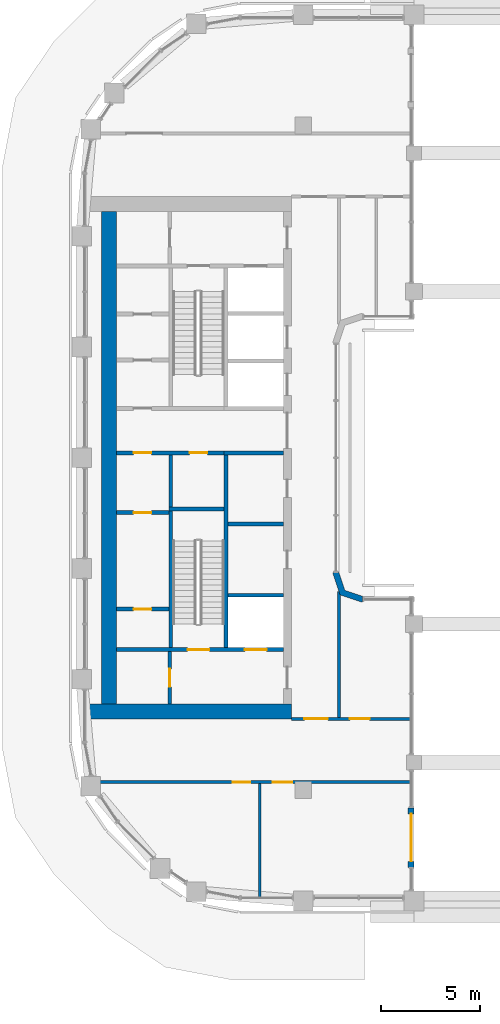
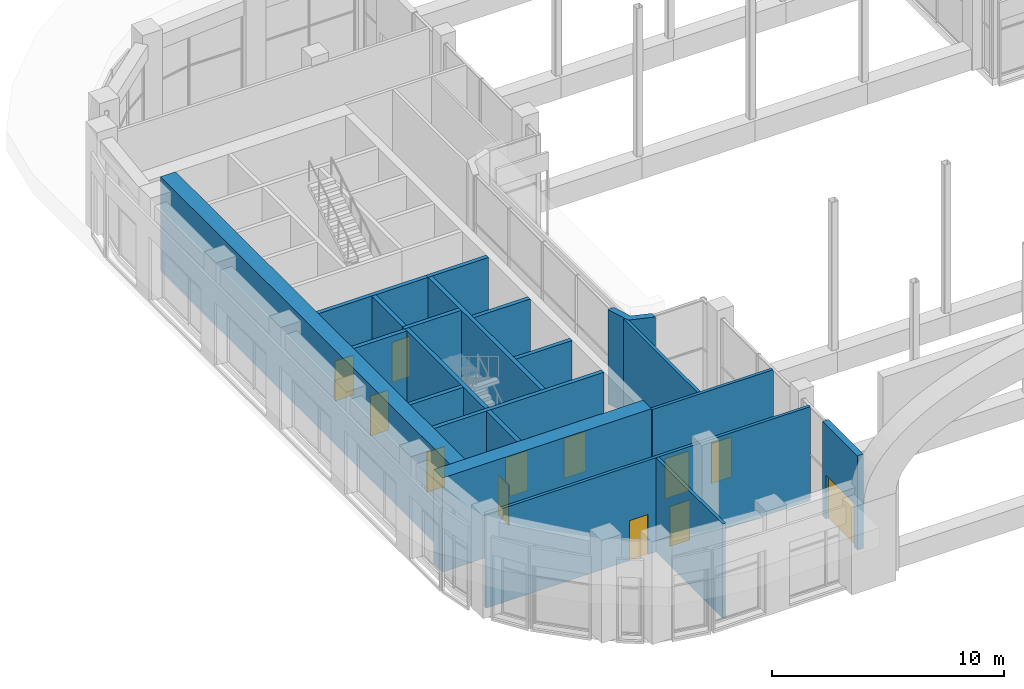
# One storey, part 15 of 28: 20 walls, 12 doors, 12 openings.
"""IFC4 building model written with IfcOpenShell, lengths in metres."""

from ifc_helpers import new_model, si_unit, direction, frame, frame_2d, origin, place, context, subcontext, project, spatial, polyline, rectangle, outline, extrude, material, layer, layer_set, type_object, element, fill, save


model = new_model("IFC4")

# Units and contexts
model_context = context("Model", 3, precision=1e-05, world=origin(), true_north=direction((0.0, 1.0)))
body_context = subcontext(model_context, "Body", "Model", "MODEL_VIEW")
ifc_project = project(units=[si_unit("LENGTHUNIT", "METRE"), si_unit("AREAUNIT", "SQUARE_METRE"), si_unit("VOLUMEUNIT", "CUBIC_METRE"), si_unit("PLANEANGLEUNIT", "RADIAN"), si_unit("MASSUNIT", "GRAM", prefix="KILO")], contexts=[model_context])

# Site, building, storey
site_placement = place(None, origin())
site = spatial("IfcSite", under=ifc_project, at=site_placement, CompositionType="ELEMENT")
building_placement = place(site_placement, origin())
building = spatial("IfcBuilding", under=site, at=building_placement, Name="Kiln Ring Residences", CompositionType="ELEMENT")
storey_placement = place(building_placement, frame((0.0, 0.0, 178.10009765625)))
storey = spatial("IfcBuildingStorey", under=building, at=storey_placement, Name="L46", CompositionType="ELEMENT", Elevation=178.10009765625)

# Wall
ifc_material_1 = material(Name="Gypsum board on steel studs", Category="steel")
ifc_layer_1 = layer(ifc_material_1, 0.199951171875)
ifc_layer_set_1 = layer_set([ifc_layer_1], Name="CORE-PARTITION-200")
wall_type_1 = type_object("IfcWallType", Name="CORE-PARTITION-200", PredefinedType="PARTITIONING", material=ifc_layer_set_1)
wall_1_placement = place(storey_placement, frame((-23.5, -2.5, 0.0), z_axis=(0.0, 0.0, 1.0), x_axis=(0.0, 1.0, 0.0)))
element("IfcWall", 1, at=wall_1_placement, inside=storey, type_object=wall_type_1, Name="Core partition west L46 1", PredefinedType="PARTITIONING", context=body_context, shape_type="SweptSolid", body=[
    extrude(rectangle(XDim=2.64990234375, YDim=0.199951171875, at=frame_2d((1.324951171875, 0.0))), origin(), (0.0, 0.0, 1.0), 4.949951171875),
])

# Wall, openings, doors
wall_2_placement = place(storey_placement, frame((-20.800048828125, 0.25, 0.0), z_axis=(0.0, 0.0, 1.0), x_axis=(-1.0, 0.0, 0.0)))
wall_2 = element("IfcWall", 2, at=wall_2_placement, inside=storey, type_object=wall_type_1, Name="Core partition west L46 2", PredefinedType="PARTITIONING", context=body_context, shape_type="SweptSolid", body=[
    extrude(rectangle(XDim=5.449951171875, YDim=0.199951171875, at=frame_2d((2.72509765625, 0.0))), origin(), (0.0, 0.0, 1.0), 4.949951171875),
])
opening_1_placement = place(wall_2_placement, frame((0.85009765625, 0.0, 0.0)))
opening_1 = element("IfcOpeningElement", 3, at=opening_1_placement, cuts=wall_2, Name="Opening L46-CW14", PredefinedType="OPENING", context=body_context, shape_type="SweptSolid", body=[
    extrude(rectangle(XDim=0.89990234375, YDim=2.10009765625, at=frame_2d((0.449951171875, 1.050048828125))), frame((0.0, 0.10986328125, 0.0), z_axis=(0.0, -1.0, 0.0), x_axis=(1.0, 0.0, 0.0)), (0.0, 0.0, 1.0), 0.219970703125),
])
opening_2_placement = place(wall_2_placement, frame((3.675048828125, 0.0, 0.0)))
opening_2 = element("IfcOpeningElement", 4, at=opening_2_placement, cuts=wall_2, Name="Opening L46-CW17", PredefinedType="OPENING", context=body_context, shape_type="SweptSolid", body=[
    extrude(rectangle(XDim=0.89990234375, YDim=2.10009765625, at=frame_2d((0.449951171875, 1.050048828125))), frame((0.0, 0.10986328125, 0.0), z_axis=(0.0, -1.0, 0.0), x_axis=(1.0, 0.0, 0.0)), (0.0, 0.0, 1.0), 0.219970703125),
])
ifc_material_2 = material(Name="Steel door leaf", Category="steel")
door_type_1 = type_object("IfcDoorType", Name="CORE-DOOR-ROOM", OperationType="SINGLE_SWING_LEFT", PredefinedType="DOOR", material=ifc_material_2)
door_1_placement = place(opening_1_placement, origin())
door_1 = element("IfcDoor", 5, at=door_1_placement, inside=storey, type_object=door_type_1, Name="Cleaner's store L46-CW14", OperationType="SINGLE_SWING_RIGHT", OverallHeight=2.10009765625, OverallWidth=0.89990234375, PredefinedType="DOOR", context=body_context, shape_type="SweptSolid", body=[
    extrude(rectangle(XDim=0.89990234375, YDim=2.10009765625, at=frame_2d((0.449951171875, 1.050048828125))), frame((0.0, 0.02490234375, 0.0), z_axis=(0.0, -1.0, 0.0), x_axis=(1.0, 0.0, 0.0)), (0.0, 0.0, 1.0), 0.050048828125),
])
fill(opening_1, door_1)
door_2_placement = place(opening_2_placement, origin())
door_2 = element("IfcDoor", 6, at=door_2_placement, inside=storey, type_object=door_type_1, Name="Battery room L46-CW17", OperationType="SINGLE_SWING_LEFT", OverallHeight=2.10009765625, OverallWidth=0.89990234375, PredefinedType="DOOR", context=body_context, shape_type="SweptSolid", body=[
    extrude(rectangle(XDim=0.89990234375, YDim=2.10009765625, at=frame_2d((0.449951171875, 1.050048828125))), frame((0.0, 0.02490234375, 0.0), z_axis=(0.0, -1.0, 0.0), x_axis=(1.0, 0.0, 0.0)), (0.0, 0.0, 1.0), 0.050048828125),
])
fill(opening_2, door_2)

# Wall
wall_3_placement = place(storey_placement, frame((-17.800048828125, -3.35009765625, 0.0), z_axis=(0.0, 0.0, 1.0), x_axis=(-1.0, 0.0, 0.0)))
element("IfcWall", 7, at=wall_3_placement, inside=storey, type_object=wall_type_1, Name="Core partition west L46 3", PredefinedType="PARTITIONING", context=body_context, shape_type="SweptSolid", body=[
    extrude(rectangle(XDim=2.800048828125, YDim=0.199951171875, at=frame_2d((1.39990234375, 0.0))), origin(), (0.0, 0.0, 1.0), 4.949951171875),
])

# Wall, opening, door
wall_4_placement = place(storey_placement, frame((-23.550048828125, -12.449951171875, 0.0), z_axis=(0.0, 0.0, 1.0), x_axis=(0.0, 1.0, 0.0)))
wall_4 = element("IfcWall", 8, at=wall_4_placement, inside=storey, type_object=wall_type_1, Name="Core partition west L46 5", PredefinedType="PARTITIONING", context=body_context, shape_type="SweptSolid", body=[
    extrude(rectangle(XDim=2.64990234375, YDim=0.199951171875, at=frame_2d((1.324951171875, 0.0))), origin(), (0.0, 0.0, 1.0), 4.949951171875),
])
opening_3_placement = place(wall_4_placement, frame((0.875, 0.0, 0.0)))
opening_3 = element("IfcOpeningElement", 9, at=opening_3_placement, cuts=wall_4, Name="Opening L46-CW10", PredefinedType="OPENING", context=body_context, shape_type="SweptSolid", body=[
    extrude(rectangle(XDim=0.89990234375, YDim=2.10009765625, at=frame_2d((0.449951171875, 1.050048828125))), frame((0.0, 0.10986328125, 0.0), z_axis=(0.0, -1.0, 0.0), x_axis=(1.0, 0.0, 0.0)), (0.0, 0.0, 1.0), 0.219970703125),
])
door_3_placement = place(opening_3_placement, origin())
door_3 = element("IfcDoor", 10, at=door_3_placement, inside=storey, type_object=door_type_1, Name="Store L46-CW10", OperationType="SINGLE_SWING_RIGHT", OverallHeight=2.10009765625, OverallWidth=0.89990234375, PredefinedType="DOOR", context=body_context, shape_type="SweptSolid", body=[
    extrude(rectangle(XDim=0.89990234375, YDim=2.10009765625, at=frame_2d((0.449951171875, 1.050048828125))), frame((0.0, 0.02490234375, 0.0), z_axis=(0.0, -1.0, 0.0), x_axis=(1.0, 0.0, 0.0)), (0.0, 0.0, 1.0), 0.050048828125),
])
fill(opening_3, door_3)

wall_5_placement = place(storey_placement, frame((-23.60009765625, -7.64990234375, 0.0), z_axis=(0.0, 0.0, 1.0), x_axis=(-1.0, 0.0, 0.0)))
wall_5 = element("IfcWall", 11, at=wall_5_placement, inside=storey, type_object=wall_type_1, Name="Core partition west L46 6", PredefinedType="PARTITIONING", context=body_context, shape_type="SweptSolid", body=[
    extrude(rectangle(XDim=2.64990234375, YDim=0.199951171875, at=frame_2d((1.324951171875, 0.0))), origin(), (0.0, 0.0, 1.0), 4.949951171875),
])
opening_4_placement = place(wall_5_placement, frame((0.875, 0.0, 0.0)))
opening_4 = element("IfcOpeningElement", 12, at=opening_4_placement, cuts=wall_5, Name="Opening L46-CW15", PredefinedType="OPENING", context=body_context, shape_type="SweptSolid", body=[
    extrude(rectangle(XDim=0.89990234375, YDim=2.10009765625, at=frame_2d((0.449951171875, 1.050048828125))), frame((0.0, 0.10986328125, 0.0), z_axis=(0.0, -1.0, 0.0), x_axis=(1.0, 0.0, 0.0)), (0.0, 0.0, 1.0), 0.219970703125),
])
door_4_placement = place(opening_4_placement, origin())
door_4 = element("IfcDoor", 13, at=door_4_placement, inside=storey, type_object=door_type_1, Name="Plant room L46-CW15", OperationType="SINGLE_SWING_RIGHT", OverallHeight=2.10009765625, OverallWidth=0.89990234375, PredefinedType="DOOR", context=body_context, shape_type="SweptSolid", body=[
    extrude(rectangle(XDim=0.89990234375, YDim=2.10009765625, at=frame_2d((0.449951171875, 1.050048828125))), frame((0.0, 0.02490234375, 0.0), z_axis=(0.0, -1.0, 0.0), x_axis=(1.0, 0.0, 0.0)), (0.0, 0.0, 1.0), 0.050048828125),
])
fill(opening_4, door_4)

wall_6_placement = place(storey_placement, frame((-23.60009765625, -2.77490234375, 0.0), z_axis=(0.0, 0.0, 1.0), x_axis=(-1.0, 0.0, 0.0)))
wall_6 = element("IfcWall", 14, at=wall_6_placement, inside=storey, type_object=wall_type_1, Name="Core partition west L46 7", PredefinedType="PARTITIONING", context=body_context, shape_type="SweptSolid", body=[
    extrude(rectangle(XDim=2.64990234375, YDim=0.199951171875, at=frame_2d((1.324951171875, 0.0))), origin(), (0.0, 0.0, 1.0), 4.949951171875),
])
opening_5_placement = place(wall_6_placement, frame((0.875, 0.0, 0.0)))
opening_5 = element("IfcOpeningElement", 15, at=opening_5_placement, cuts=wall_6, Name="Opening L46-CW16", PredefinedType="OPENING", context=body_context, shape_type="SweptSolid", body=[
    extrude(rectangle(XDim=0.89990234375, YDim=2.10009765625, at=frame_2d((0.449951171875, 1.050048828125))), frame((0.0, 0.10986328125, 0.0), z_axis=(0.0, -1.0, 0.0), x_axis=(1.0, 0.0, 0.0)), (0.0, 0.0, 1.0), 0.219970703125),
])
door_5_placement = place(opening_5_placement, origin())
door_5 = element("IfcDoor", 16, at=door_5_placement, inside=storey, type_object=door_type_1, Name="Battery room L46-CW16", OperationType="SINGLE_SWING_LEFT", OverallHeight=2.10009765625, OverallWidth=0.89990234375, PredefinedType="DOOR", context=body_context, shape_type="SweptSolid", body=[
    extrude(rectangle(XDim=0.89990234375, YDim=2.10009765625, at=frame_2d((0.449951171875, 1.050048828125))), frame((0.0, 0.02490234375, 0.0), z_axis=(0.0, -1.0, 0.0), x_axis=(1.0, 0.0, 0.0)), (0.0, 0.0, 1.0), 0.050048828125),
])
fill(opening_5, door_5)

# Walls
ifc_material_3 = material(Name="Gypsum shaft wall system")
ifc_layer_2 = layer(ifc_material_3, 0.199951171875)
ifc_layer_set_2 = layer_set([ifc_layer_2], Name="CORE-SHAFT-WALL-200")
wall_type_2 = type_object("IfcWallType", Name="CORE-SHAFT-WALL-200", PredefinedType="PARTITIONING", material=ifc_layer_set_2)
wall_7_placement = place(storey_placement, frame((-17.800048828125, -6.949951171875, 0.0), z_axis=(0.0, 0.0, 1.0), x_axis=(-1.0, 0.0, 0.0)))
element("IfcWall", 17, at=wall_7_placement, inside=storey, type_object=wall_type_2, Name="Core partition west L46 10", PredefinedType="PARTITIONING", context=body_context, shape_type="SweptSolid", body=[
    extrude(rectangle(XDim=2.800048828125, YDim=0.199951171875, at=frame_2d((1.39990234375, 0.0))), origin(), (0.0, 0.0, 1.0), 4.949951171875),
])
wall_8_placement = place(storey_placement, frame((-17.800048828125, 0.25, 0.0), z_axis=(0.0, 0.0, 1.0), x_axis=(-1.0, 0.0, 0.0)))
element("IfcWall", 18, at=wall_8_placement, inside=storey, type_object=wall_type_2, Name="Core partition west L46 11", PredefinedType="PARTITIONING", context=body_context, shape_type="SweptSolid", body=[
    extrude(rectangle(XDim=3.0, YDim=0.199951171875, at=frame_2d((1.5, 0.0))), origin(), (0.0, 0.0, 1.0), 4.949951171875),
])
ifc_material_4 = material(Name="Concrete C40/50", Category="concrete")
ifc_layer_3 = layer(ifc_material_4, 0.199951171875)
ifc_layer_set_3 = layer_set([ifc_layer_3], Name="CORE-WALL-RC200")
wall_type_3 = type_object("IfcWallType", Name="CORE-WALL-RC200", PredefinedType="SHEAR", material=ifc_layer_set_3)
wall_9_placement = place(storey_placement, frame((-20.699951171875, -9.60009765625, 0.0), z_axis=(0.0, 0.0, 1.0), x_axis=(0.0, 1.0, 0.0)))
element("IfcWall", 19, at=wall_9_placement, inside=storey, type_object=wall_type_3, Name="Core wall west L46 2", PredefinedType="SHEAR", context=body_context, shape_type="SweptSolid", body=[
    extrude(rectangle(XDim=9.75, YDim=0.199951171875, at=frame_2d((4.875, 0.0))), origin(), (0.0, 0.0, 1.0), 4.949951171875),
])

# Wall, openings, doors
wall_10_placement = place(storey_placement, frame((-17.800048828125, -9.699951171875, 0.0), z_axis=(0.0, 0.0, 1.0), x_axis=(-1.0, 0.0, 0.0)))
wall_10 = element("IfcWall", 20, at=wall_10_placement, inside=storey, type_object=wall_type_3, Name="Core wall west L46 8", PredefinedType="SHEAR", context=body_context, shape_type="SweptSolid", body=[
    extrude(rectangle(XDim=8.449951171875, YDim=0.199951171875, at=frame_2d((4.22509765625, 0.0))), origin(), (0.0, 0.0, 1.0), 4.949951171875),
])
opening_6_placement = place(wall_10_placement, frame((0.85009765625, 0.0, 0.0)))
opening_6 = element("IfcOpeningElement", 21, at=opening_6_placement, cuts=wall_10, Name="Opening L46-CW01", PredefinedType="OPENING", context=body_context, shape_type="SweptSolid", body=[
    extrude(rectangle(XDim=1.10009765625, YDim=2.10009765625, at=frame_2d((0.550048828125, 1.050048828125))), frame((0.0, 0.10986328125, 0.0), z_axis=(0.0, -1.0, 0.0), x_axis=(1.0, 0.0, 0.0)), (0.0, 0.0, 1.0), 0.219970703125),
])
opening_7_placement = place(wall_10_placement, frame((3.75, 0.0, 0.0)))
opening_7 = element("IfcOpeningElement", 22, at=opening_7_placement, cuts=wall_10, Name="Opening L46-CW12", PredefinedType="OPENING", context=body_context, shape_type="SweptSolid", body=[
    extrude(rectangle(XDim=1.10009765625, YDim=2.10009765625, at=frame_2d((0.550048828125, 1.050048828125))), frame((0.0, 0.10986328125, 0.0), z_axis=(0.0, -1.0, 0.0), x_axis=(1.0, 0.0, 0.0)), (0.0, 0.0, 1.0), 0.219970703125),
])
ifc_material_5 = material(Name="Steel door leaf", Category="steel")
door_type_2 = type_object("IfcDoorType", Name="CORE-DOOR-LD", OperationType="DOUBLE_DOOR_SLIDING", PredefinedType="DOOR", material=ifc_material_5)
door_6_placement = place(opening_6_placement, origin())
door_6 = element("IfcDoor", 23, at=door_6_placement, inside=storey, type_object=door_type_2, Name="LD W-SV L46-CW01", OperationType="DOUBLE_DOOR_SLIDING", OverallHeight=2.10009765625, OverallWidth=1.10009765625, PredefinedType="DOOR", context=body_context, shape_type="SweptSolid", body=[
    extrude(rectangle(XDim=1.10009765625, YDim=2.10009765625, at=frame_2d((0.550048828125, 1.050048828125))), frame((0.0, 0.02490234375, 0.0), z_axis=(0.0, -1.0, 0.0), x_axis=(1.0, 0.0, 0.0)), (0.0, 0.0, 1.0), 0.050048828125),
])
fill(opening_6, door_6)
ifc_material_6 = material(Name="Steel door leaf", Category="steel")
door_type_3 = type_object("IfcDoorType", Name="CORE-DOOR-STAIR", OperationType="SINGLE_SWING_LEFT", PredefinedType="DOOR", material=ifc_material_6)
door_7_placement = place(opening_7_placement, origin())
door_7 = element("IfcDoor", 24, at=door_7_placement, inside=storey, type_object=door_type_3, Name="Stair W-STS L46-CW12", OperationType="SINGLE_SWING_LEFT", OverallHeight=2.10009765625, OverallWidth=1.10009765625, PredefinedType="DOOR", context=body_context, shape_type="SweptSolid", body=[
    extrude(rectangle(XDim=1.10009765625, YDim=2.10009765625, at=frame_2d((0.550048828125, 1.050048828125))), frame((0.0, 0.02490234375, 0.0), z_axis=(0.0, -1.0, 0.0), x_axis=(1.0, 0.0, 0.0)), (0.0, 0.0, 1.0), 0.050048828125),
])
fill(opening_7, door_7)

# Walls
wall_11_placement = place(storey_placement, frame((-23.5, -9.60009765625, 0.0), z_axis=(0.0, 0.0, 1.0), x_axis=(0.0, 1.0, 0.0)))
element("IfcWall", 25, at=wall_11_placement, inside=storey, type_object=wall_type_3, Name="Core wall west L46 11", PredefinedType="SHEAR", context=body_context, shape_type="SweptSolid", body=[
    extrude(rectangle(XDim=6.900146484375, YDim=0.199951171875, at=frame_2d((3.4501953125, 0.0))), origin(), (0.0, 0.0, 1.0), 4.949951171875),
])
wall_12_placement = place(storey_placement, frame((-20.800048828125, -2.60009765625, 0.0), z_axis=(0.0, 0.0, 1.0), x_axis=(-1.0, 0.0, 0.0)))
element("IfcWall", 26, at=wall_12_placement, inside=storey, type_object=wall_type_3, Name="Core wall west L46 12", PredefinedType="SHEAR", context=body_context, shape_type="SweptSolid", body=[
    extrude(rectangle(XDim=2.800048828125, YDim=0.199951171875, at=frame_2d((1.39990234375, 0.0))), origin(), (0.0, 0.0, 1.0), 4.949951171875),
])
ifc_material_7 = material(Name="Concrete C60/75", Category="concrete")
ifc_layer_4 = layer(ifc_material_7, 0.75)
ifc_layer_set_4 = layer_set([ifc_layer_4], Name="CORE-WALL-RC750")
wall_type_4 = type_object("IfcWallType", Name="CORE-WALL-RC750", PredefinedType="SHEAR", material=ifc_layer_set_4)
wall_13_placement = place(storey_placement, frame((-17.39990234375, -12.824951171875, 0.0), z_axis=(0.0, 0.0, 1.0), x_axis=(-1.0, 0.0, 0.0)))
element("IfcWall", 27, at=wall_13_placement, inside=storey, type_object=wall_type_4, Name="Core wall west L46 5", PredefinedType="SHEAR", context=body_context, shape_type="SweptSolid", body=[
    extrude(rectangle(XDim=10.400146484375, YDim=0.75, at=frame_2d((5.2001953125, 0.0))), origin(), (0.0, 0.0, 1.0), 4.949951171875),
])
wall_14_placement = place(storey_placement, frame((-26.625, -12.449951171875, 0.0), z_axis=(0.0, 0.0, 1.0), x_axis=(0.0, 1.0, 0.0)))
element("IfcWall", 28, at=wall_14_placement, inside=storey, type_object=wall_type_4, Name="Core wall west L46 7", PredefinedType="SHEAR", context=body_context, shape_type="SweptSolid", body=[
    extrude(rectangle(XDim=24.89990234375, YDim=0.75, at=frame_2d((12.449951171875, 0.0))), origin(), (0.0, 0.0, 1.0), 4.949951171875),
])

# Wall, opening, door
ifc_material_8 = material(Name="Brick masonry, dark clay brick", Category="masonry")
ifc_layer_5 = layer(ifc_material_8, 0.300048828125)
ifc_layer_set_5 = layer_set([ifc_layer_5], Name="EW-300 BRICK WALL")
wall_type_5 = type_object("IfcWallType", Name="EW-300 BRICK WALL", PredefinedType="SOLIDWALL", material=ifc_layer_set_5)
wall_15_placement = place(storey_placement, frame((-11.35009765625, -20.699951171875, 0.0), z_axis=(0.0, 0.0, 1.0), x_axis=(0.0, 1.0, 0.0)))
wall_15 = element("IfcWall", 29, at=wall_15_placement, inside=storey, type_object=wall_type_5, Name="Facade wall L46 1", PredefinedType="SOLIDWALL", context=body_context, shape_type="SweptSolid", body=[
    extrude(rectangle(XDim=3.0, YDim=0.300048828125, at=frame_2d((1.5, 0.0))), origin(), (0.0, 0.0, 1.0), 4.949951171875),
])
opening_8_placement = place(wall_15_placement, frame((0.300048828125, 0.0, 0.0)))
opening_8 = element("IfcOpeningElement", 30, at=opening_8_placement, cuts=wall_15, Name="Opening EL46-1", PredefinedType="OPENING", context=body_context, shape_type="SweptSolid", body=[
    extrude(rectangle(XDim=2.39990234375, YDim=2.300048828125, at=frame_2d((1.199951171875, 1.14990234375))), frame((0.0, 0.159912109375, 0.0), z_axis=(0.0, -1.0, 0.0), x_axis=(1.0, 0.0, 0.0)), (0.0, 0.0, 1.0), 0.320068359375),
])
ifc_material_9 = material(Name="Aluminium and glass", Category="aluminium")
door_type_4 = type_object("IfcDoorType", Name="TERRACE DOOR 2400 x 2300", OperationType="DOUBLE_DOOR_SINGLE_SWING", PredefinedType="DOOR", material=ifc_material_9)
door_8_placement = place(opening_8_placement, origin())
door_8 = element("IfcDoor", 31, at=door_8_placement, inside=storey, type_object=door_type_4, Name="Terrace door EL46-1", OperationType="SINGLE_SWING_LEFT", OverallHeight=2.300048828125, OverallWidth=2.39990234375, PredefinedType="DOOR", context=body_context, shape_type="SweptSolid", body=[
    extrude(rectangle(XDim=2.39990234375, YDim=2.300048828125, at=frame_2d((1.199951171875, 1.14990234375))), frame((0.0, 0.02490234375, 0.0), z_axis=(0.0, -1.0, 0.0), x_axis=(1.0, 0.0, 0.0)), (0.0, 0.0, 1.0), 0.050048828125),
])
fill(opening_8, door_8)

# Wall
wall_16_placement = place(storey_placement, origin())
element("IfcWall", 32, at=wall_16_placement, inside=storey, type_object=wall_type_5, Name="Corner wall L46 2", PredefinedType="SOLIDWALL", context=body_context, shape_type="SweptSolid", body=[
    extrude(outline(polyline([(-13.800048828125, -7.0), (-14.699951171875, -6.699951171875), (-15.0, -5.800048828125), (-15.300048828125, -5.800048828125), (-15.300048828125, -5.8486328125), (-14.937255859375, -6.937255859375), (-13.8486328125, -7.300048828125), (-13.800048828125, -7.300048828125), (-13.800048828125, -7.0)])), origin(), (0.0, 0.0, 1.0), 4.949951171875),
])

# Wall, openings, doors
ifc_material_10 = material(Name="Brick masonry partition", Category="masonry")
ifc_layer_6 = layer(ifc_material_10, 0.14990234375)
ifc_layer_set_6 = layer_set([ifc_layer_6], Name="PARTITION-150-ei60")
wall_type_6 = type_object("IfcWallType", Name="PARTITION-150-ei60", PredefinedType="PARTITIONING", material=ifc_layer_set_6)
wall_17_placement = place(storey_placement, frame((-27.52001953125, -16.39990234375, 0.0), z_axis=(0.0, 0.0, 1.0), x_axis=(1.0, 0.0, 0.0)))
wall_17 = element("IfcWall", 33, at=wall_17_placement, inside=storey, type_object=wall_type_6, Name="Partition 000", PredefinedType="PARTITIONING", context=body_context, shape_type="SweptSolid", body=[
    extrude(rectangle(XDim=16.135986328125, YDim=0.14990234375, at=frame_2d((8.06787109375, 0.0))), origin(), (0.0, 0.0, 1.0), 4.949951171875),
])
opening_9_placement = place(wall_17_placement, frame((9.169921875, 0.0, 0.0)))
opening_9 = element("IfcOpeningElement", 34, at=opening_9_placement, cuts=wall_17, Name="Opening L46-D011", PredefinedType="OPENING", context=body_context, shape_type="SweptSolid", body=[
    extrude(rectangle(XDim=1.0, YDim=2.10009765625, at=frame_2d((0.5, 1.050048828125))), frame((0.0, 0.0849609375, 0.0), z_axis=(0.0, -1.0, 0.0), x_axis=(1.0, 0.0, 0.0)), (0.0, 0.0, 1.0), 0.169921875),
])
opening_10_placement = place(wall_17_placement, frame((7.14306640625, 0.0, 0.0)))
opening_10 = element("IfcOpeningElement", 35, at=opening_10_placement, cuts=wall_17, Name="Opening L46-D012", PredefinedType="OPENING", context=body_context, shape_type="SweptSolid", body=[
    extrude(rectangle(XDim=0.89990234375, YDim=2.10009765625, at=frame_2d((0.449951171875, 1.050048828125))), frame((0.0, 0.0849609375, 0.0), z_axis=(0.0, -1.0, 0.0), x_axis=(1.0, 0.0, 0.0)), (0.0, 0.0, 1.0), 0.169921875),
])
ifc_material_11 = material(Name="Steel faced fire door leaf", Category="steel")
door_type_5 = type_object("IfcDoorType", Name="FLAT-DOOR-1000-FR", OperationType="SINGLE_SWING_LEFT", PredefinedType="DOOR", material=ifc_material_11)
door_9_placement = place(opening_9_placement, origin())
door_9 = element("IfcDoor", 36, at=door_9_placement, inside=storey, type_object=door_type_5, Name="Door L46-D011", OperationType="SINGLE_SWING_LEFT", OverallHeight=2.10009765625, OverallWidth=1.0, PredefinedType="DOOR", context=body_context, shape_type="SweptSolid", body=[
    extrude(rectangle(XDim=1.0, YDim=2.10009765625, at=frame_2d((0.5, 1.050048828125))), frame((0.0, 0.02490234375, 0.0), z_axis=(0.0, -1.0, 0.0), x_axis=(1.0, 0.0, 0.0)), (0.0, 0.0, 1.0), 0.050048828125),
])
fill(opening_9, door_9)
ifc_material_12 = material(Name="Steel faced fire door leaf", Category="steel")
door_type_6 = type_object("IfcDoorType", Name="FLAT-DOOR-900-FR", OperationType="SINGLE_SWING_LEFT", PredefinedType="DOOR", material=ifc_material_12)
door_10_placement = place(opening_10_placement, origin())
door_10 = element("IfcDoor", 37, at=door_10_placement, inside=storey, type_object=door_type_6, Name="Door L46-D012", OperationType="SINGLE_SWING_RIGHT", OverallHeight=2.10009765625, OverallWidth=0.89990234375, PredefinedType="DOOR", context=body_context, shape_type="SweptSolid", body=[
    extrude(rectangle(XDim=0.89990234375, YDim=2.10009765625, at=frame_2d((0.449951171875, 1.050048828125))), frame((0.0, 0.02490234375, 0.0), z_axis=(0.0, -1.0, 0.0), x_axis=(1.0, 0.0, 0.0)), (0.0, 0.0, 1.0), 0.050048828125),
])
fill(opening_10, door_10)

wall_18_placement = place(storey_placement, frame((-17.39990234375, -13.199951171875, 0.0), z_axis=(0.0, 0.0, 1.0), x_axis=(1.0, 0.0, 0.0)))
wall_18 = element("IfcWall", 38, at=wall_18_placement, inside=storey, type_object=wall_type_6, Name="Partition 002", PredefinedType="PARTITIONING", context=body_context, shape_type="SweptSolid", body=[
    extrude(rectangle(XDim=6.015869140625, YDim=0.14990234375, at=frame_2d((3.0078125, 0.0))), origin(), (0.0, 0.0, 1.0), 4.949951171875),
])
opening_11_placement = place(wall_18_placement, frame((0.64990234375, 0.0, 0.0)))
opening_11 = element("IfcOpeningElement", 39, at=opening_11_placement, cuts=wall_18, Name="Opening L46-D009", PredefinedType="OPENING", context=body_context, shape_type="SweptSolid", body=[
    extrude(rectangle(XDim=1.199951171875, YDim=2.10009765625, at=frame_2d((0.60009765625, 1.050048828125))), frame((0.0, 0.0849609375, 0.0), z_axis=(0.0, -1.0, 0.0), x_axis=(1.0, 0.0, 0.0)), (0.0, 0.0, 1.0), 0.169921875),
])
opening_12_placement = place(wall_18_placement, frame((2.9599609375, 0.0, 0.0)))
opening_12 = element("IfcOpeningElement", 40, at=opening_12_placement, cuts=wall_18, Name="Opening L46-D010", PredefinedType="OPENING", context=body_context, shape_type="SweptSolid", body=[
    extrude(rectangle(XDim=1.0, YDim=2.10009765625, at=frame_2d((0.5, 1.050048828125))), frame((0.0, 0.0849609375, 0.0), z_axis=(0.0, -1.0, 0.0), x_axis=(1.0, 0.0, 0.0)), (0.0, 0.0, 1.0), 0.169921875),
])
door_11_placement = place(opening_12_placement, origin())
door_11 = element("IfcDoor", 41, at=door_11_placement, inside=storey, type_object=door_type_5, Name="Door L46-D010", OperationType="SINGLE_SWING_RIGHT", OverallHeight=2.10009765625, OverallWidth=1.0, PredefinedType="DOOR", context=body_context, shape_type="SweptSolid", body=[
    extrude(rectangle(XDim=1.0, YDim=2.10009765625, at=frame_2d((0.5, 1.050048828125))), frame((0.0, 0.02490234375, 0.0), z_axis=(0.0, -1.0, 0.0), x_axis=(1.0, 0.0, 0.0)), (0.0, 0.0, 1.0), 0.050048828125),
])
fill(opening_12, door_11)
ifc_material_13 = material(Name="Steel faced fire door leaf", Category="steel")
door_type_7 = type_object("IfcDoorType", Name="FLAT-DOOR-1200-FR", OperationType="SINGLE_SWING_LEFT", PredefinedType="DOOR", material=ifc_material_13)
door_12_placement = place(opening_11_placement, origin())
door_12 = element("IfcDoor", 42, at=door_12_placement, inside=storey, type_object=door_type_7, Name="Door L46-D009", OperationType="SINGLE_SWING_RIGHT", OverallHeight=2.10009765625, OverallWidth=1.199951171875, PredefinedType="DOOR", context=body_context, shape_type="SweptSolid", body=[
    extrude(rectangle(XDim=1.199951171875, YDim=2.10009765625, at=frame_2d((0.60009765625, 1.050048828125))), frame((0.0, 0.02490234375, 0.0), z_axis=(0.0, -1.0, 0.0), x_axis=(1.0, 0.0, 0.0)), (0.0, 0.0, 1.0), 0.050048828125),
])
fill(opening_11, door_12)

# Walls
wall_19_placement = place(storey_placement, frame((-19.0, -22.216064453125, 0.0), z_axis=(0.0, 0.0, 1.0), x_axis=(0.0, 1.0, 0.0)))
element("IfcWall", 43, at=wall_19_placement, inside=storey, type_object=wall_type_6, Name="Partition 008", PredefinedType="PARTITIONING", context=body_context, shape_type="SweptSolid", body=[
    extrude(rectangle(XDim=5.740966796875, YDim=0.14990234375, at=frame_2d((2.87060546875, 0.0))), origin(), (0.0, 0.0, 1.0), 4.949951171875),
])
wall_20_placement = place(storey_placement, frame((-15.0, -13.125, 0.0), z_axis=(0.0, 0.0, 1.0), x_axis=(0.0, 1.0, 0.0)))
element("IfcWall", 44, at=wall_20_placement, inside=storey, type_object=wall_type_6, Name="Partition 009", PredefinedType="PARTITIONING", context=body_context, shape_type="SweptSolid", body=[
    extrude(rectangle(XDim=6.356201171875, YDim=0.14990234375, at=frame_2d((3.17822265625, 0.0))), origin(), (0.0, 0.0, 1.0), 4.949951171875),
])

save(model, "model.ifc")
